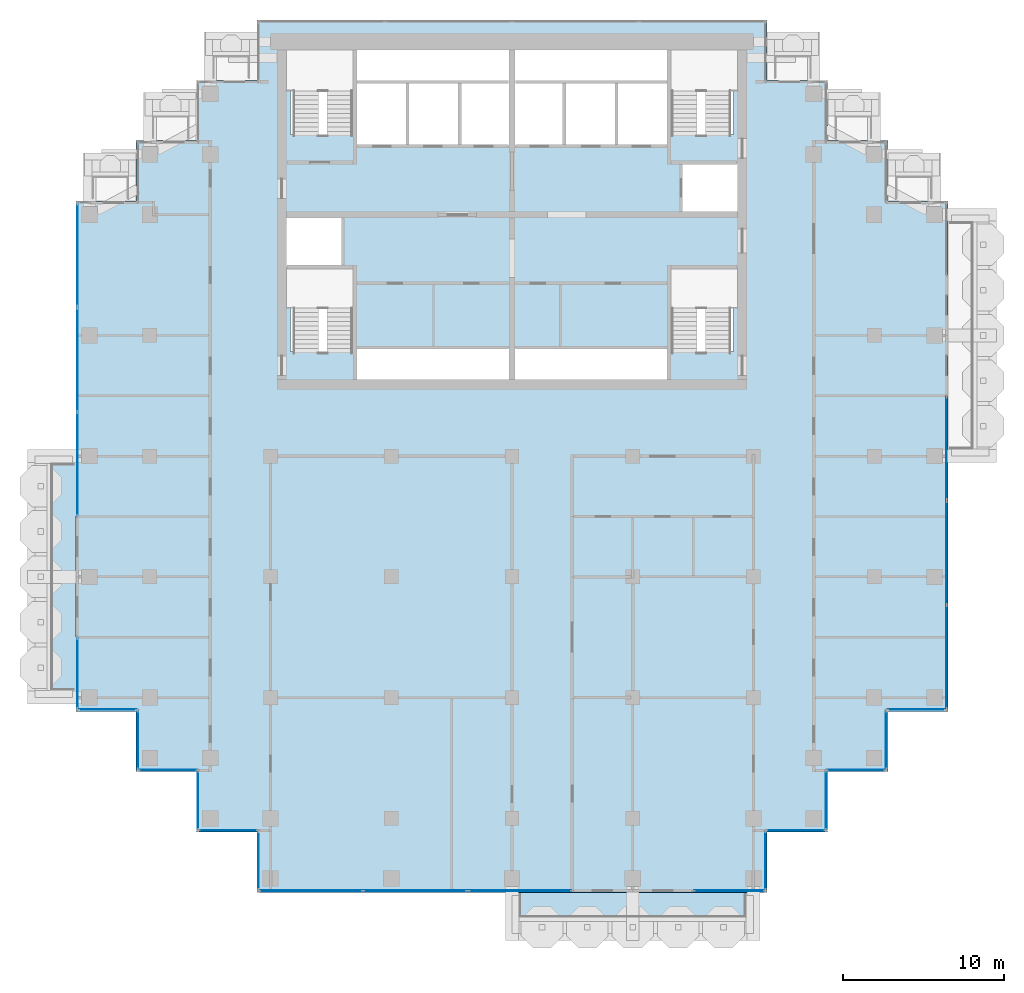
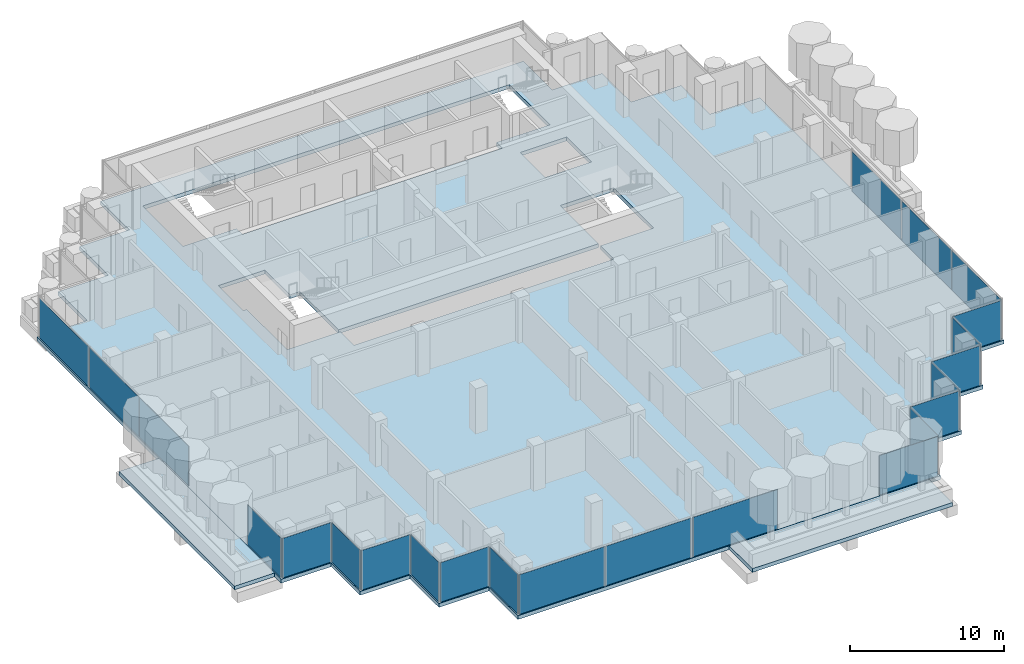
# One storey, part 8 of 19: 23 plates, 3 slabs, 20 elements without a shape of their own.
"""IFC4 building model written with IfcOpenShell, lengths in metres."""

from ifc_helpers import new_model, si_unit, direction, frame, origin, origin_2d, place, context, subcontext, project, spatial, polyline, rectangle, outline, extrude, material, layer, layer_set, type_object, element, aggregate, save


model = new_model("IFC4")

# Units and contexts
model_context = context("Model", 3, precision=1e-05, world=origin(), true_north=direction((0.0, 1.0)))
body_context = subcontext(model_context, "Body", "Model", "MODEL_VIEW")
ifc_project = project(units=[si_unit("LENGTHUNIT", "METRE"), si_unit("AREAUNIT", "SQUARE_METRE"), si_unit("VOLUMEUNIT", "CUBIC_METRE"), si_unit("PLANEANGLEUNIT", "RADIAN"), si_unit("MASSUNIT", "GRAM", prefix="KILO")], contexts=[model_context])

# Site, building, storey
site_placement = place(None, origin())
site = spatial("IfcSite", under=ifc_project, at=site_placement, CompositionType="ELEMENT")
building_placement = place(site_placement, origin())
building = spatial("IfcBuilding", under=site, at=building_placement, Name="Pilkhan Gate Tower", CompositionType="ELEMENT")
storey_placement = place(building_placement, frame((0.0, 0.0, 217.5)))
storey = spatial("IfcBuildingStorey", under=building, at=storey_placement, Name="L56", CompositionType="ELEMENT", Elevation=217.5)

# Slabs
ifc_material_1 = material(Name="Concrete C60/75", Category="concrete")
ifc_layer_1 = layer(ifc_material_1, 0.300048828125)
ifc_layer_set_1 = layer_set([ifc_layer_1], Name="Balcony tray slab TR300")
slab_type_1 = type_object("IfcSlabType", Name="Balcony tray slab TR300", PredefinedType="FLOOR", material=ifc_layer_set_1)
slab_1_placement = place(storey_placement, frame((0.0, 0.0, -0.300048828125)))
element("IfcSlab", 1, at=slab_1_placement, inside=storey, type_object=slab_type_1, Name="Balcony tray L56 S", PredefinedType="FLOOR", context=body_context, shape_type="SweptSolid", body=[
    extrude(outline(polyline([(90.0, 37.39990234375), (90.0, 40.39990234375), (75.0, 40.39990234375), (75.0, 37.39990234375), (90.0, 37.39990234375)])), origin(), (0.0, 0.0, 1.0), 0.300048828125),
])
slab_2_placement = place(storey_placement, frame((0.0, 0.0, -0.300048828125)))
element("IfcSlab", 2, at=slab_2_placement, inside=storey, type_object=slab_type_1, Name="Balcony tray L56 W", PredefinedType="FLOOR", context=body_context, shape_type="SweptSolid", body=[
    extrude(outline(polyline([(47.89990234375, 52.5), (47.89990234375, 67.5), (44.89990234375, 67.5), (44.89990234375, 52.5), (47.89990234375, 52.5)])), origin(), (0.0, 0.0, 1.0), 0.300048828125),
])
ifc_material_2 = material(Name="Concrete C40/50", Category="concrete")
ifc_layer_2 = layer(ifc_material_2, 0.300048828125)
ifc_layer_set_2 = layer_set([ifc_layer_2], Name="Flat plate slab FP300")
slab_type_2 = type_object("IfcSlabType", Name="Flat plate slab FP300", PredefinedType="FLOOR", material=ifc_layer_set_2)
slab_3_placement = place(storey_placement, frame((0.0, 0.0, -0.300048828125)))
element("IfcSlab", 3, at=slab_3_placement, inside=storey, type_object=slab_type_2, Name="Floor slab L56", PredefinedType="FLOOR", context=body_context, shape_type="SweptSolid", body=[
    extrude(outline(polyline([(98.35009765625, 47.89990234375), (94.60009765625, 47.89990234375), (94.60009765625, 44.14990234375), (90.85009765625, 44.14990234375), (90.85009765625, 40.39990234375), (59.14990234375, 40.39990234375), (59.14990234375, 44.14990234375), (55.39990234375, 44.14990234375), (55.39990234375, 47.89990234375), (51.64990234375, 47.89990234375), (51.64990234375, 51.64990234375), (47.89990234375, 51.64990234375), (47.89990234375, 83.35009765625), (51.64990234375, 83.35009765625), (51.64990234375, 87.10009765625), (55.39990234375, 87.10009765625), (55.39990234375, 90.85009765625), (59.14990234375, 90.85009765625), (59.14990234375, 94.60009765625), (90.85009765625, 94.60009765625), (90.85009765625, 90.85009765625), (94.60009765625, 90.85009765625), (94.60009765625, 87.10009765625), (98.35009765625, 87.10009765625), (98.35009765625, 83.35009765625), (102.10009765625, 83.35009765625), (102.10009765625, 51.64990234375), (98.35009765625, 51.64990234375), (98.35009765625, 47.89990234375)]), holes=[polyline([(75.0, 72.25), (84.75, 72.25), (84.75, 74.0), (88.75, 74.0), (88.75, 79.25), (84.75, 79.25), (84.75, 74.25), (75.0, 74.25), (65.25, 74.25), (65.25, 79.25), (64.5, 79.25), (64.5, 82.5), (61.25, 82.5), (61.0, 82.5), (61.0, 79.25), (61.25, 79.25), (61.25, 74.0), (65.25, 74.0), (65.25, 72.25), (75.0, 72.25)]), polyline([(68.5, 86.75), (71.75, 86.75), (75.0, 86.75), (78.25, 86.75), (81.5, 86.75), (84.75, 86.75), (84.75, 87.5), (88.75, 87.5), (88.75, 92.75), (84.75, 92.75), (75.0, 92.75), (65.25, 92.75), (61.25, 92.75), (61.25, 87.5), (65.25, 87.5), (65.25, 86.75), (68.5, 86.75)]), polyline([(85.5, 85.75), (85.5, 82.5), (88.75, 82.5), (89.0, 82.5), (89.0, 85.75), (88.75, 85.75), (85.5, 85.75)])]), origin(), (0.0, 0.0, 1.0), 0.300048828125),
])

# Curtain wall, plates
ifc_material_3 = material(Name="Pale anodised aluminium, clear low-iron double glazing", Category="aluminium")
curtain_wall_type = type_object("IfcCurtainWallType", Name="Office unitised curtain wall CW-O2", PredefinedType="USERDEFINED", material=ifc_material_3)
curtain_wall_1_placement = place(storey_placement, origin())
curtain_wall_1 = element("IfcCurtainWall", 4, at=curtain_wall_1_placement, inside=storey, type_object=curtain_wall_type, Name="Office unitised curtain wall CW-O2 L56 E", ObjectType="UNITISED CURTAIN WALL", PredefinedType="USERDEFINED")
ifc_material_4 = material(Name="Clear low-iron double glazing", Category="glass")
ifc_layer_3 = layer(ifc_material_4, 0.031982421875)
ifc_layer_set_3 = layer_set([ifc_layer_3], Name="Glass panel CW-O2 32")
plate_type = type_object("IfcPlateType", Name="Glass panel CW-O2 32", PredefinedType="CURTAIN_PANEL", material=ifc_layer_set_3)
plate_1_placement = place(storey_placement, frame((102.0, 55.016357421875, 0.0), z_axis=(0.0, 0.0, 1.0), x_axis=(0.0, 1.0, 0.0)))
plate_1 = element("IfcPlate", 5, at=plate_1_placement, type_object=plate_type, Name="CW-O2 panel 1", PredefinedType="CURTAIN_PANEL", context=body_context, shape_type="SweptSolid", body=[
    extrude(rectangle(XDim=6.402587890625, YDim=0.031982421875, at=origin_2d()), origin(), (0.0, 0.0, 1.0), 3.135009765625),
])
plate_2_placement = place(storey_placement, frame((102.0, 61.483642578125, 0.0), z_axis=(0.0, 0.0, 1.0), x_axis=(0.0, 1.0, 0.0)))
plate_2 = element("IfcPlate", 6, at=plate_2_placement, type_object=plate_type, Name="CW-O2 panel 2", PredefinedType="CURTAIN_PANEL", context=body_context, shape_type="SweptSolid", body=[
    extrude(rectangle(XDim=6.402587890625, YDim=0.031982421875, at=origin_2d()), origin(), (0.0, 0.0, 1.0), 3.135009765625),
])
aggregate(curtain_wall_1, [plate_1, plate_2])

# Curtain wall, plate
curtain_wall_2_placement = place(storey_placement, origin())
curtain_wall_2 = element("IfcCurtainWall", 7, at=curtain_wall_2_placement, inside=storey, type_object=curtain_wall_type, Name="Office unitised curtain wall CW-O2 L56 E", ObjectType="UNITISED CURTAIN WALL", PredefinedType="USERDEFINED")
plate_3_placement = place(storey_placement, frame((102.0, 68.0, 0.0), z_axis=(0.0, 0.0, 1.0), x_axis=(0.0, 1.0, 0.0)))
plate_3 = element("IfcPlate", 8, at=plate_3_placement, type_object=plate_type, Name="CW-O2 panel 1", PredefinedType="CURTAIN_PANEL", context=body_context, shape_type="SweptSolid", body=[
    extrude(rectangle(XDim=6.3701171875, YDim=0.031982421875, at=origin_2d()), origin(), (0.0, 0.0, 1.0), 3.135009765625),
])
aggregate(curtain_wall_2, [plate_3])

curtain_wall_3_placement = place(storey_placement, origin())
curtain_wall_3 = element("IfcCurtainWall", 9, at=curtain_wall_3_placement, inside=storey, type_object=curtain_wall_type, Name="Office unitised curtain wall CW-O2 L56 W", ObjectType="UNITISED CURTAIN WALL", PredefinedType="USERDEFINED")
plate_4_placement = place(storey_placement, frame((48.0, 54.0, 0.0), z_axis=(0.0, 0.0, 1.0), x_axis=(0.0, 1.0, 0.0)))
plate_4 = element("IfcPlate", 10, at=plate_4_placement, type_object=plate_type, Name="CW-O2 panel 1", PredefinedType="CURTAIN_PANEL", context=body_context, shape_type="SweptSolid", body=[
    extrude(rectangle(XDim=4.3701171875, YDim=0.031982421875, at=origin_2d()), origin(), (0.0, 0.0, 1.0), 3.135009765625),
])
aggregate(curtain_wall_3, [plate_4])

# Curtain wall, plates
curtain_wall_4_placement = place(storey_placement, origin())
curtain_wall_4 = element("IfcCurtainWall", 11, at=curtain_wall_4_placement, inside=storey, type_object=curtain_wall_type, Name="Office unitised curtain wall CW-O2 L56 W", ObjectType="UNITISED CURTAIN WALL", PredefinedType="USERDEFINED")
plate_5_placement = place(storey_placement, frame((48.0, 67.016357421875, 0.0), z_axis=(0.0, 0.0, 1.0), x_axis=(0.0, 1.0, 0.0)))
plate_5 = element("IfcPlate", 12, at=plate_5_placement, type_object=plate_type, Name="CW-O2 panel 1", PredefinedType="CURTAIN_PANEL", context=body_context, shape_type="SweptSolid", body=[
    extrude(rectangle(XDim=6.402587890625, YDim=0.031982421875, at=origin_2d()), origin(), (0.0, 0.0, 1.0), 3.135009765625),
])
plate_6_placement = place(storey_placement, frame((48.0, 73.483642578125, 0.0), z_axis=(0.0, 0.0, 1.0), x_axis=(0.0, 1.0, 0.0)))
plate_6 = element("IfcPlate", 13, at=plate_6_placement, type_object=plate_type, Name="CW-O2 panel 2", PredefinedType="CURTAIN_PANEL", context=body_context, shape_type="SweptSolid", body=[
    extrude(rectangle(XDim=6.402587890625, YDim=0.031982421875, at=origin_2d()), origin(), (0.0, 0.0, 1.0), 3.135009765625),
])
aggregate(curtain_wall_4, [plate_5, plate_6])

# Curtain wall, plate
curtain_wall_5_placement = place(storey_placement, origin())
curtain_wall_5 = element("IfcCurtainWall", 14, at=curtain_wall_5_placement, inside=storey, type_object=curtain_wall_type, Name="Office unitised curtain wall CW-O2 L56 W", ObjectType="UNITISED CURTAIN WALL", PredefinedType="USERDEFINED")
plate_7_placement = place(storey_placement, frame((48.0, 80.0, 0.0), z_axis=(0.0, 0.0, 1.0), x_axis=(0.0, 1.0, 0.0)))
plate_7 = element("IfcPlate", 15, at=plate_7_placement, type_object=plate_type, Name="CW-O2 panel 1", PredefinedType="CURTAIN_PANEL", context=body_context, shape_type="SweptSolid", body=[
    extrude(rectangle(XDim=6.3701171875, YDim=0.031982421875, at=origin_2d()), origin(), (0.0, 0.0, 1.0), 3.135009765625),
])
aggregate(curtain_wall_5, [plate_7])

curtain_wall_6_placement = place(storey_placement, origin())
curtain_wall_6 = element("IfcCurtainWall", 16, at=curtain_wall_6_placement, inside=storey, type_object=curtain_wall_type, Name="Office unitised curtain wall CW-O2 L56 S", ObjectType="UNITISED CURTAIN WALL", PredefinedType="USERDEFINED")
plate_8_placement = place(storey_placement, frame((49.875, 51.75, 0.0), z_axis=(0.0, 0.0, 1.0), x_axis=(1.0, 0.0, 0.0)))
plate_8 = element("IfcPlate", 17, at=plate_8_placement, type_object=plate_type, Name="CW-O2 panel 1", PredefinedType="CURTAIN_PANEL", context=body_context, shape_type="SweptSolid", body=[
    extrude(rectangle(XDim=3.6201171875, YDim=0.031982421875, at=origin_2d()), origin(), (0.0, 0.0, 1.0), 3.135009765625),
])
aggregate(curtain_wall_6, [plate_8])

curtain_wall_7_placement = place(storey_placement, origin())
curtain_wall_7 = element("IfcCurtainWall", 18, at=curtain_wall_7_placement, inside=storey, type_object=curtain_wall_type, Name="Office unitised curtain wall CW-O2 L56 W", ObjectType="UNITISED CURTAIN WALL", PredefinedType="USERDEFINED")
plate_9_placement = place(storey_placement, frame((51.75, 49.875, 0.0), z_axis=(0.0, 0.0, 1.0), x_axis=(0.0, 1.0, 0.0)))
plate_9 = element("IfcPlate", 19, at=plate_9_placement, type_object=plate_type, Name="CW-O2 panel 1", PredefinedType="CURTAIN_PANEL", context=body_context, shape_type="SweptSolid", body=[
    extrude(rectangle(XDim=3.6201171875, YDim=0.031982421875, at=origin_2d()), origin(), (0.0, 0.0, 1.0), 3.135009765625),
])
aggregate(curtain_wall_7, [plate_9])

curtain_wall_8_placement = place(storey_placement, origin())
curtain_wall_8 = element("IfcCurtainWall", 20, at=curtain_wall_8_placement, inside=storey, type_object=curtain_wall_type, Name="Office unitised curtain wall CW-O2 L56 S", ObjectType="UNITISED CURTAIN WALL", PredefinedType="USERDEFINED")
plate_10_placement = place(storey_placement, frame((53.625, 48.0, 0.0), z_axis=(0.0, 0.0, 1.0), x_axis=(1.0, 0.0, 0.0)))
plate_10 = element("IfcPlate", 21, at=plate_10_placement, type_object=plate_type, Name="CW-O2 panel 1", PredefinedType="CURTAIN_PANEL", context=body_context, shape_type="SweptSolid", body=[
    extrude(rectangle(XDim=3.6201171875, YDim=0.031982421875, at=origin_2d()), origin(), (0.0, 0.0, 1.0), 3.135009765625),
])
aggregate(curtain_wall_8, [plate_10])

curtain_wall_9_placement = place(storey_placement, origin())
curtain_wall_9 = element("IfcCurtainWall", 22, at=curtain_wall_9_placement, inside=storey, type_object=curtain_wall_type, Name="Office unitised curtain wall CW-O2 L56 W", ObjectType="UNITISED CURTAIN WALL", PredefinedType="USERDEFINED")
plate_11_placement = place(storey_placement, frame((55.5, 46.125, 0.0), z_axis=(0.0, 0.0, 1.0), x_axis=(0.0, 1.0, 0.0)))
plate_11 = element("IfcPlate", 23, at=plate_11_placement, type_object=plate_type, Name="CW-O2 panel 1", PredefinedType="CURTAIN_PANEL", context=body_context, shape_type="SweptSolid", body=[
    extrude(rectangle(XDim=3.6201171875, YDim=0.031982421875, at=origin_2d()), origin(), (0.0, 0.0, 1.0), 3.135009765625),
])
aggregate(curtain_wall_9, [plate_11])

curtain_wall_10_placement = place(storey_placement, origin())
curtain_wall_10 = element("IfcCurtainWall", 24, at=curtain_wall_10_placement, inside=storey, type_object=curtain_wall_type, Name="Office unitised curtain wall CW-O2 L56 S", ObjectType="UNITISED CURTAIN WALL", PredefinedType="USERDEFINED")
plate_12_placement = place(storey_placement, frame((57.375, 44.25, 0.0), z_axis=(0.0, 0.0, 1.0), x_axis=(1.0, 0.0, 0.0)))
plate_12 = element("IfcPlate", 25, at=plate_12_placement, type_object=plate_type, Name="CW-O2 panel 1", PredefinedType="CURTAIN_PANEL", context=body_context, shape_type="SweptSolid", body=[
    extrude(rectangle(XDim=3.6201171875, YDim=0.031982421875, at=origin_2d()), origin(), (0.0, 0.0, 1.0), 3.135009765625),
])
aggregate(curtain_wall_10, [plate_12])

curtain_wall_11_placement = place(storey_placement, origin())
curtain_wall_11 = element("IfcCurtainWall", 26, at=curtain_wall_11_placement, inside=storey, type_object=curtain_wall_type, Name="Office unitised curtain wall CW-O2 L56 W", ObjectType="UNITISED CURTAIN WALL", PredefinedType="USERDEFINED")
plate_13_placement = place(storey_placement, frame((59.25, 42.375, 0.0), z_axis=(0.0, 0.0, 1.0), x_axis=(0.0, 1.0, 0.0)))
plate_13 = element("IfcPlate", 27, at=plate_13_placement, type_object=plate_type, Name="CW-O2 panel 1", PredefinedType="CURTAIN_PANEL", context=body_context, shape_type="SweptSolid", body=[
    extrude(rectangle(XDim=3.6201171875, YDim=0.031982421875, at=origin_2d()), origin(), (0.0, 0.0, 1.0), 3.135009765625),
])
aggregate(curtain_wall_11, [plate_13])

# Curtain wall, plates
curtain_wall_12_placement = place(storey_placement, origin())
curtain_wall_12 = element("IfcCurtainWall", 28, at=curtain_wall_12_placement, inside=storey, type_object=curtain_wall_type, Name="Office unitised curtain wall CW-O2 L56 S", ObjectType="UNITISED CURTAIN WALL", PredefinedType="USERDEFINED")
plate_14_placement = place(storey_placement, frame((62.516357421875, 40.5, 0.0), z_axis=(0.0, 0.0, 1.0), x_axis=(1.0, 0.0, 0.0)))
plate_14 = element("IfcPlate", 29, at=plate_14_placement, type_object=plate_type, Name="CW-O2 panel 1", PredefinedType="CURTAIN_PANEL", context=body_context, shape_type="SweptSolid", body=[
    extrude(rectangle(XDim=6.402587890625, YDim=0.031982421875, at=origin_2d()), origin(), (0.0, 0.0, 1.0), 3.135009765625),
])
plate_15_placement = place(storey_placement, frame((68.983642578125, 40.5, 0.0), z_axis=(0.0, 0.0, 1.0), x_axis=(1.0, 0.0, 0.0)))
plate_15 = element("IfcPlate", 30, at=plate_15_placement, type_object=plate_type, Name="CW-O2 panel 2", PredefinedType="CURTAIN_PANEL", context=body_context, shape_type="SweptSolid", body=[
    extrude(rectangle(XDim=6.402587890625, YDim=0.031982421875, at=origin_2d()), origin(), (0.0, 0.0, 1.0), 3.135009765625),
])
aggregate(curtain_wall_12, [plate_14, plate_15])

# Curtain wall, plate
curtain_wall_13_placement = place(storey_placement, origin())
curtain_wall_13 = element("IfcCurtainWall", 31, at=curtain_wall_13_placement, inside=storey, type_object=curtain_wall_type, Name="Office unitised curtain wall CW-O2 L56 S", ObjectType="UNITISED CURTAIN WALL", PredefinedType="USERDEFINED")
plate_16_placement = place(storey_placement, frame((75.5, 40.5, 0.0), z_axis=(0.0, 0.0, 1.0), x_axis=(1.0, 0.0, 0.0)))
plate_16 = element("IfcPlate", 32, at=plate_16_placement, type_object=plate_type, Name="CW-O2 panel 1", PredefinedType="CURTAIN_PANEL", context=body_context, shape_type="SweptSolid", body=[
    extrude(rectangle(XDim=6.3701171875, YDim=0.031982421875, at=origin_2d()), origin(), (0.0, 0.0, 1.0), 3.135009765625),
])
aggregate(curtain_wall_13, [plate_16])

curtain_wall_14_placement = place(storey_placement, origin())
curtain_wall_14 = element("IfcCurtainWall", 33, at=curtain_wall_14_placement, inside=storey, type_object=curtain_wall_type, Name="Office unitised curtain wall CW-O2 L56 S", ObjectType="UNITISED CURTAIN WALL", PredefinedType="USERDEFINED")
plate_17_placement = place(storey_placement, frame((88.5, 40.5, 0.0), z_axis=(0.0, 0.0, 1.0), x_axis=(1.0, 0.0, 0.0)))
plate_17 = element("IfcPlate", 34, at=plate_17_placement, type_object=plate_type, Name="CW-O2 panel 1", PredefinedType="CURTAIN_PANEL", context=body_context, shape_type="SweptSolid", body=[
    extrude(rectangle(XDim=4.3701171875, YDim=0.031982421875, at=origin_2d()), origin(), (0.0, 0.0, 1.0), 3.135009765625),
])
aggregate(curtain_wall_14, [plate_17])

curtain_wall_15_placement = place(storey_placement, origin())
curtain_wall_15 = element("IfcCurtainWall", 35, at=curtain_wall_15_placement, inside=storey, type_object=curtain_wall_type, Name="Office unitised curtain wall CW-O2 L56 E", ObjectType="UNITISED CURTAIN WALL", PredefinedType="USERDEFINED")
plate_18_placement = place(storey_placement, frame((90.75, 42.375, 0.0), z_axis=(0.0, 0.0, 1.0), x_axis=(0.0, 1.0, 0.0)))
plate_18 = element("IfcPlate", 36, at=plate_18_placement, type_object=plate_type, Name="CW-O2 panel 1", PredefinedType="CURTAIN_PANEL", context=body_context, shape_type="SweptSolid", body=[
    extrude(rectangle(XDim=3.6201171875, YDim=0.031982421875, at=origin_2d()), origin(), (0.0, 0.0, 1.0), 3.135009765625),
])
aggregate(curtain_wall_15, [plate_18])

curtain_wall_16_placement = place(storey_placement, origin())
curtain_wall_16 = element("IfcCurtainWall", 37, at=curtain_wall_16_placement, inside=storey, type_object=curtain_wall_type, Name="Office unitised curtain wall CW-O2 L56 S", ObjectType="UNITISED CURTAIN WALL", PredefinedType="USERDEFINED")
plate_19_placement = place(storey_placement, frame((92.625, 44.25, 0.0), z_axis=(0.0, 0.0, 1.0), x_axis=(1.0, 0.0, 0.0)))
plate_19 = element("IfcPlate", 38, at=plate_19_placement, type_object=plate_type, Name="CW-O2 panel 1", PredefinedType="CURTAIN_PANEL", context=body_context, shape_type="SweptSolid", body=[
    extrude(rectangle(XDim=3.6201171875, YDim=0.031982421875, at=origin_2d()), origin(), (0.0, 0.0, 1.0), 3.135009765625),
])
aggregate(curtain_wall_16, [plate_19])

curtain_wall_17_placement = place(storey_placement, origin())
curtain_wall_17 = element("IfcCurtainWall", 39, at=curtain_wall_17_placement, inside=storey, type_object=curtain_wall_type, Name="Office unitised curtain wall CW-O2 L56 E", ObjectType="UNITISED CURTAIN WALL", PredefinedType="USERDEFINED")
plate_20_placement = place(storey_placement, frame((94.5, 46.125, 0.0), z_axis=(0.0, 0.0, 1.0), x_axis=(0.0, 1.0, 0.0)))
plate_20 = element("IfcPlate", 40, at=plate_20_placement, type_object=plate_type, Name="CW-O2 panel 1", PredefinedType="CURTAIN_PANEL", context=body_context, shape_type="SweptSolid", body=[
    extrude(rectangle(XDim=3.6201171875, YDim=0.031982421875, at=origin_2d()), origin(), (0.0, 0.0, 1.0), 3.135009765625),
])
aggregate(curtain_wall_17, [plate_20])

curtain_wall_18_placement = place(storey_placement, origin())
curtain_wall_18 = element("IfcCurtainWall", 41, at=curtain_wall_18_placement, inside=storey, type_object=curtain_wall_type, Name="Office unitised curtain wall CW-O2 L56 S", ObjectType="UNITISED CURTAIN WALL", PredefinedType="USERDEFINED")
plate_21_placement = place(storey_placement, frame((96.375, 48.0, 0.0), z_axis=(0.0, 0.0, 1.0), x_axis=(1.0, 0.0, 0.0)))
plate_21 = element("IfcPlate", 42, at=plate_21_placement, type_object=plate_type, Name="CW-O2 panel 1", PredefinedType="CURTAIN_PANEL", context=body_context, shape_type="SweptSolid", body=[
    extrude(rectangle(XDim=3.6201171875, YDim=0.031982421875, at=origin_2d()), origin(), (0.0, 0.0, 1.0), 3.135009765625),
])
aggregate(curtain_wall_18, [plate_21])

curtain_wall_19_placement = place(storey_placement, origin())
curtain_wall_19 = element("IfcCurtainWall", 43, at=curtain_wall_19_placement, inside=storey, type_object=curtain_wall_type, Name="Office unitised curtain wall CW-O2 L56 E", ObjectType="UNITISED CURTAIN WALL", PredefinedType="USERDEFINED")
plate_22_placement = place(storey_placement, frame((98.25, 49.875, 0.0), z_axis=(0.0, 0.0, 1.0), x_axis=(0.0, 1.0, 0.0)))
plate_22 = element("IfcPlate", 44, at=plate_22_placement, type_object=plate_type, Name="CW-O2 panel 1", PredefinedType="CURTAIN_PANEL", context=body_context, shape_type="SweptSolid", body=[
    extrude(rectangle(XDim=3.6201171875, YDim=0.031982421875, at=origin_2d()), origin(), (0.0, 0.0, 1.0), 3.135009765625),
])
aggregate(curtain_wall_19, [plate_22])

curtain_wall_20_placement = place(storey_placement, origin())
curtain_wall_20 = element("IfcCurtainWall", 45, at=curtain_wall_20_placement, inside=storey, type_object=curtain_wall_type, Name="Office unitised curtain wall CW-O2 L56 S", ObjectType="UNITISED CURTAIN WALL", PredefinedType="USERDEFINED")
plate_23_placement = place(storey_placement, frame((100.125, 51.75, 0.0), z_axis=(0.0, 0.0, 1.0), x_axis=(1.0, 0.0, 0.0)))
plate_23 = element("IfcPlate", 46, at=plate_23_placement, type_object=plate_type, Name="CW-O2 panel 1", PredefinedType="CURTAIN_PANEL", context=body_context, shape_type="SweptSolid", body=[
    extrude(rectangle(XDim=3.6201171875, YDim=0.031982421875, at=origin_2d()), origin(), (0.0, 0.0, 1.0), 3.135009765625),
])
aggregate(curtain_wall_20, [plate_23])

save(model, "model.ifc")
